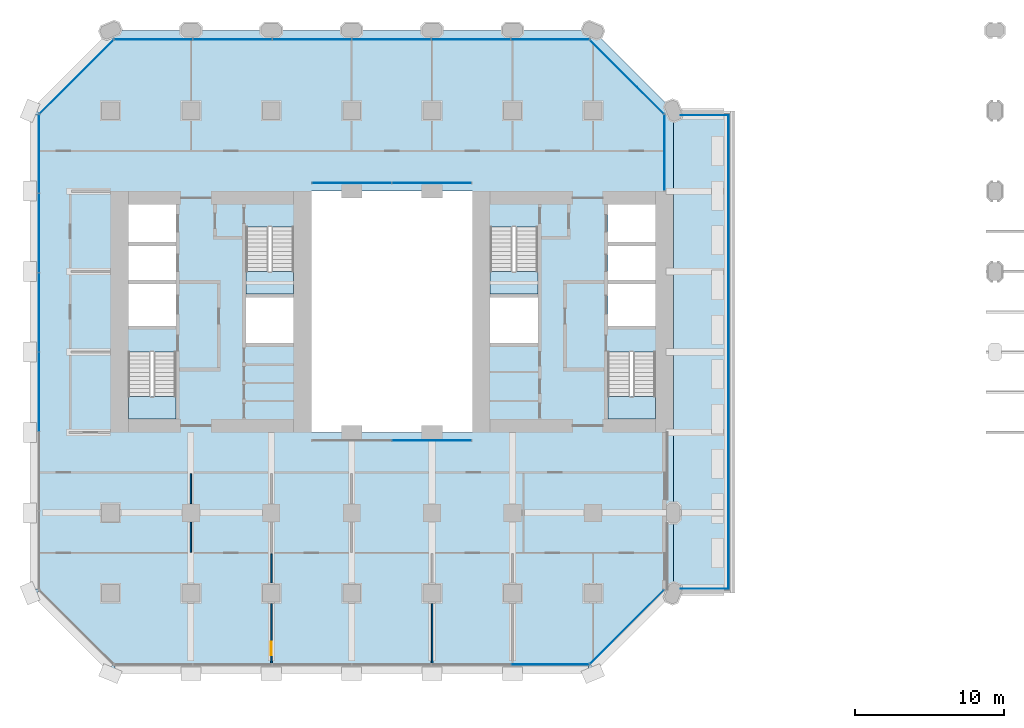
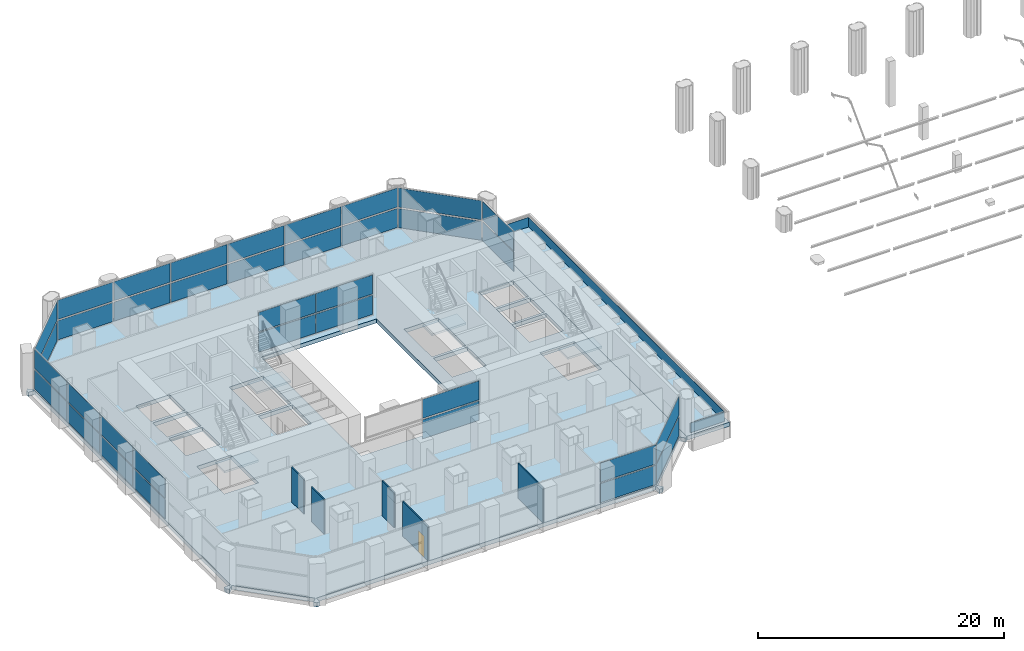
# One storey, part 11 of 23: 39 plates, 6 slabs, 5 walls, 1 door, 1 opening, 13 elements without a shape of their own.
"""IFC4 building model written with IfcOpenShell, lengths in metres."""

from ifc_helpers import new_model, si_unit, direction, frame, frame_2d, origin, origin_2d, place, context, subcontext, project, spatial, polyline, rectangle, outline, extrude, material, layer, layer_set, type_object, element, fill, aggregate, save


model = new_model("IFC4")

# Units and contexts
model_context = context("Model", 3, precision=1e-05, world=origin(), true_north=direction((0.0, 1.0)))
body_context = subcontext(model_context, "Body", "Model", "MODEL_VIEW")
ifc_project = project(units=[si_unit("LENGTHUNIT", "METRE"), si_unit("AREAUNIT", "SQUARE_METRE"), si_unit("VOLUMEUNIT", "CUBIC_METRE"), si_unit("PLANEANGLEUNIT", "RADIAN"), si_unit("MASSUNIT", "GRAM", prefix="KILO")], contexts=[model_context])

# Site, building, storey
site_placement = place(None, origin())
site = spatial("IfcSite", under=ifc_project, at=site_placement, CompositionType="ELEMENT")
building_placement = place(site_placement, origin())
building = spatial("IfcBuilding", under=site, at=building_placement, Name="Tabaq Tower and Sports Hall", CompositionType="ELEMENT")
storey_placement = place(building_placement, frame((0.0, 0.0, 29.10009765625)))
storey = spatial("IfcBuildingStorey", under=building, at=storey_placement, Name="L05", CompositionType="ELEMENT", Elevation=29.10009765625)

# Curtain wall, plates
ifc_material_1 = material(Name="Aluminium alloy 6063-T6 framed glazing", Category="aluminium")
curtain_wall_type_1 = type_object("IfcCurtainWallType", Name="CW1 curtain wall", PredefinedType="USERDEFINED", material=ifc_material_1)
curtain_wall_1_placement = place(storey_placement, origin())
curtain_wall_1 = element("IfcCurtainWall", 1, at=curtain_wall_1_placement, inside=storey, type_object=curtain_wall_type_1, Name="Atrium glazing L05 S", ObjectType="ATRIUM ENCLOSURE", PredefinedType="USERDEFINED")
ifc_material_2 = material(Name="Clear low-emissivity glass 28 mm", Category="glass")
ifc_layer_1 = layer(ifc_material_2, 0.028076171875)
ifc_layer_set_1 = layer_set([ifc_layer_1], Name="CW1 glass panel 28")
plate_type_1 = type_object("IfcPlateType", Name="CW1 glass panel 28", PredefinedType="CURTAIN_PANEL", material=ifc_layer_set_1)
plate_1_placement = place(storey_placement, frame((26.985107421875, 15.64990234375, 0.14013671875), z_axis=(0.0, 0.0, 1.0), x_axis=(1.0, 0.0, 0.0)))
plate_1 = element("IfcPlate", 2, at=plate_1_placement, type_object=plate_type_1, Name="CW1 panel 2.1", PredefinedType="CURTAIN_PANEL", context=body_context, shape_type="SweptSolid", body=[
    extrude(rectangle(XDim=5.31005859375, YDim=0.028076171875, at=origin_2d()), origin(), (0.0, 0.0, 1.0), 1.889892578125),
])
plate_2_placement = place(storey_placement, frame((26.985107421875, 15.64990234375, 2.169921875), z_axis=(0.0, 0.0, 1.0), x_axis=(1.0, 0.0, 0.0)))
plate_2 = element("IfcPlate", 3, at=plate_2_placement, type_object=plate_type_1, Name="CW1 panel 2.2", PredefinedType="CURTAIN_PANEL", context=body_context, shape_type="SweptSolid", body=[
    extrude(rectangle(XDim=5.31005859375, YDim=0.028076171875, at=origin_2d()), origin(), (0.0, 0.0, 1.0), 1.889892578125),
])
aggregate(curtain_wall_1, [plate_1, plate_2])

curtain_wall_2_placement = place(storey_placement, origin())
curtain_wall_2 = element("IfcCurtainWall", 4, at=curtain_wall_2_placement, inside=storey, type_object=curtain_wall_type_1, Name="Atrium glazing L05 N", ObjectType="ATRIUM ENCLOSURE", PredefinedType="USERDEFINED")
plate_3_placement = place(storey_placement, frame((21.614990234375, 32.949951171875, 0.14013671875), z_axis=(0.0, 0.0, 1.0), x_axis=(1.0, 0.0, 0.0)))
plate_3 = element("IfcPlate", 5, at=plate_3_placement, type_object=plate_type_1, Name="CW1 panel 1.1", PredefinedType="CURTAIN_PANEL", context=body_context, shape_type="SweptSolid", body=[
    extrude(rectangle(XDim=5.31005859375, YDim=0.028076171875, at=origin_2d()), origin(), (0.0, 0.0, 1.0), 1.889892578125),
])
plate_4_placement = place(storey_placement, frame((21.614990234375, 32.949951171875, 2.169921875), z_axis=(0.0, 0.0, 1.0), x_axis=(1.0, 0.0, 0.0)))
plate_4 = element("IfcPlate", 6, at=plate_4_placement, type_object=plate_type_1, Name="CW1 panel 1.2", PredefinedType="CURTAIN_PANEL", context=body_context, shape_type="SweptSolid", body=[
    extrude(rectangle(XDim=5.31005859375, YDim=0.028076171875, at=origin_2d()), origin(), (0.0, 0.0, 1.0), 1.889892578125),
])
plate_5_placement = place(storey_placement, frame((26.985107421875, 32.949951171875, 0.14013671875), z_axis=(0.0, 0.0, 1.0), x_axis=(1.0, 0.0, 0.0)))
plate_5 = element("IfcPlate", 7, at=plate_5_placement, type_object=plate_type_1, Name="CW1 panel 2.1", PredefinedType="CURTAIN_PANEL", context=body_context, shape_type="SweptSolid", body=[
    extrude(rectangle(XDim=5.31005859375, YDim=0.028076171875, at=origin_2d()), origin(), (0.0, 0.0, 1.0), 1.889892578125),
])
plate_6_placement = place(storey_placement, frame((26.985107421875, 32.949951171875, 2.169921875), z_axis=(0.0, 0.0, 1.0), x_axis=(1.0, 0.0, 0.0)))
plate_6 = element("IfcPlate", 8, at=plate_6_placement, type_object=plate_type_1, Name="CW1 panel 2.2", PredefinedType="CURTAIN_PANEL", context=body_context, shape_type="SweptSolid", body=[
    extrude(rectangle(XDim=5.31005859375, YDim=0.028076171875, at=origin_2d()), origin(), (0.0, 0.0, 1.0), 1.889892578125),
])
aggregate(curtain_wall_2, [plate_3, plate_4, plate_5, plate_6])

ifc_material_3 = material(Name="Aluminium alloy 6063-T6 framed glazing", Category="aluminium")
curtain_wall_type_2 = type_object("IfcCurtainWallType", Name="CW7 curtain wall", PredefinedType="USERDEFINED", material=ifc_material_3)
curtain_wall_3_placement = place(storey_placement, origin())
curtain_wall_3 = element("IfcCurtainWall", 9, at=curtain_wall_3_placement, inside=storey, type_object=curtain_wall_type_2, Name="Podium Wall L05 S", ObjectType="PODIUM WALL", PredefinedType="USERDEFINED")
ifc_material_4 = material(Name="Clear low-emissivity glass 28 mm", Category="glass")
ifc_layer_2 = layer(ifc_material_4, 0.030029296875)
ifc_layer_set_2 = layer_set([ifc_layer_2], Name="CW7 glass panel 30")
plate_type_2 = type_object("IfcPlateType", Name="CW7 glass panel 30", PredefinedType="CURTAIN_PANEL", material=ifc_layer_set_2)
plate_7_placement = place(storey_placement, frame((34.928466796875, 0.60009765625, 0.14013671875), z_axis=(0.0, 0.0, 1.0), x_axis=(1.0, 0.0, 0.0)))
plate_7 = element("IfcPlate", 10, at=plate_7_placement, type_object=plate_type_2, Name="CW7 panel 6.1", PredefinedType="CURTAIN_PANEL", context=body_context, shape_type="SweptSolid", body=[
    extrude(rectangle(XDim=5.240478515625, YDim=0.030029296875, at=origin_2d()), origin(), (0.0, 0.0, 1.0), 1.889892578125),
])
plate_8_placement = place(storey_placement, frame((34.928466796875, 0.60009765625, 2.169921875), z_axis=(0.0, 0.0, 1.0), x_axis=(1.0, 0.0, 0.0)))
plate_8 = element("IfcPlate", 11, at=plate_8_placement, type_object=plate_type_2, Name="CW7 panel 6.2", PredefinedType="CURTAIN_PANEL", context=body_context, shape_type="SweptSolid", body=[
    extrude(rectangle(XDim=5.240478515625, YDim=0.030029296875, at=origin_2d()), origin(), (0.0, 0.0, 1.0), 1.889892578125),
])
aggregate(curtain_wall_3, [plate_7, plate_8])

curtain_wall_4_placement = place(storey_placement, origin())
curtain_wall_4 = element("IfcCurtainWall", 12, at=curtain_wall_4_placement, inside=storey, type_object=curtain_wall_type_2, Name="Podium Wall L05 SE", ObjectType="PODIUM WALL", PredefinedType="USERDEFINED")
plate_9_placement = place(storey_placement, frame((40.07568359375, 3.124267578125, 0.14013671875), z_axis=(0.0, 0.0, 1.0), x_axis=(0.707106781187, 0.707106781187, 0.0)))
plate_9 = element("IfcPlate", 13, at=plate_9_placement, type_object=plate_type_2, Name="CW7 panel 1.1", PredefinedType="CURTAIN_PANEL", context=body_context, shape_type="SweptSolid", body=[
    extrude(rectangle(XDim=7.009765625, YDim=0.030029296875, at=origin_2d()), origin(), (0.0, 0.0, 1.0), 1.889892578125),
])
plate_10_placement = place(storey_placement, frame((40.07568359375, 3.124267578125, 2.169921875), z_axis=(0.0, 0.0, 1.0), x_axis=(0.707106781187, 0.707106781187, 0.0)))
plate_10 = element("IfcPlate", 14, at=plate_10_placement, type_object=plate_type_2, Name="CW7 panel 1.2", PredefinedType="CURTAIN_PANEL", context=body_context, shape_type="SweptSolid", body=[
    extrude(rectangle(XDim=7.009765625, YDim=0.030029296875, at=origin_2d()), origin(), (0.0, 0.0, 1.0), 1.889892578125),
])
aggregate(curtain_wall_4, [plate_9, plate_10])

curtain_wall_5_placement = place(storey_placement, origin())
curtain_wall_5 = element("IfcCurtainWall", 15, at=curtain_wall_5_placement, inside=storey, type_object=curtain_wall_type_2, Name="Podium Wall L05 E", ObjectType="PODIUM WALL", PredefinedType="USERDEFINED")
plate_11_placement = place(storey_placement, frame((42.60009765625, 35.0068359375, 0.14013671875), z_axis=(0.0, 0.0, 1.0), x_axis=(0.0, 1.0, 0.0)))
plate_11 = element("IfcPlate", 16, at=plate_11_placement, type_object=plate_type_2, Name="CW7 panel 1.1", PredefinedType="CURTAIN_PANEL", context=body_context, shape_type="SweptSolid", body=[
    extrude(rectangle(XDim=5.08349609375, YDim=0.030029296875, at=origin_2d()), origin(), (0.0, 0.0, 1.0), 1.889892578125),
])
plate_12_placement = place(storey_placement, frame((42.60009765625, 35.0068359375, 2.169921875), z_axis=(0.0, 0.0, 1.0), x_axis=(0.0, 1.0, 0.0)))
plate_12 = element("IfcPlate", 17, at=plate_12_placement, type_object=plate_type_2, Name="CW7 panel 1.2", PredefinedType="CURTAIN_PANEL", context=body_context, shape_type="SweptSolid", body=[
    extrude(rectangle(XDim=5.08349609375, YDim=0.030029296875, at=origin_2d()), origin(), (0.0, 0.0, 1.0), 1.889892578125),
])
aggregate(curtain_wall_5, [plate_11, plate_12])

curtain_wall_6_placement = place(storey_placement, origin())
curtain_wall_6 = element("IfcCurtainWall", 18, at=curtain_wall_6_placement, inside=storey, type_object=curtain_wall_type_2, Name="Podium Wall L05 NE", ObjectType="PODIUM WALL", PredefinedType="USERDEFINED")
plate_13_placement = place(storey_placement, frame((40.07568359375, 40.07568359375, 0.14013671875), z_axis=(0.0, 0.0, 1.0), x_axis=(-0.707106781187, 0.707106781187, 0.0)))
plate_13 = element("IfcPlate", 19, at=plate_13_placement, type_object=plate_type_2, Name="CW7 panel 1.1", PredefinedType="CURTAIN_PANEL", context=body_context, shape_type="SweptSolid", body=[
    extrude(rectangle(XDim=7.009765625, YDim=0.030029296875, at=origin_2d()), origin(), (0.0, 0.0, 1.0), 1.889892578125),
])
plate_14_placement = place(storey_placement, frame((40.07568359375, 40.07568359375, 2.169921875), z_axis=(0.0, 0.0, 1.0), x_axis=(-0.707106781187, 0.707106781187, 0.0)))
plate_14 = element("IfcPlate", 20, at=plate_14_placement, type_object=plate_type_2, Name="CW7 panel 1.2", PredefinedType="CURTAIN_PANEL", context=body_context, shape_type="SweptSolid", body=[
    extrude(rectangle(XDim=7.009765625, YDim=0.030029296875, at=origin_2d()), origin(), (0.0, 0.0, 1.0), 1.889892578125),
])
aggregate(curtain_wall_6, [plate_13, plate_14])

curtain_wall_7_placement = place(storey_placement, origin())
curtain_wall_7 = element("IfcCurtainWall", 21, at=curtain_wall_7_placement, inside=storey, type_object=curtain_wall_type_2, Name="Podium Wall L05 N", ObjectType="PODIUM WALL", PredefinedType="USERDEFINED")
plate_15_placement = place(storey_placement, frame((34.928466796875, 42.60009765625, 0.14013671875), z_axis=(0.0, 0.0, 1.0), x_axis=(-1.0, 0.0, 0.0)))
plate_15 = element("IfcPlate", 22, at=plate_15_placement, type_object=plate_type_2, Name="CW7 panel 1.1", PredefinedType="CURTAIN_PANEL", context=body_context, shape_type="SweptSolid", body=[
    extrude(rectangle(XDim=5.240478515625, YDim=0.030029296875, at=origin_2d()), origin(), (0.0, 0.0, 1.0), 1.889892578125),
])
plate_16_placement = place(storey_placement, frame((34.928466796875, 42.60009765625, 2.169921875), z_axis=(0.0, 0.0, 1.0), x_axis=(-1.0, 0.0, 0.0)))
plate_16 = element("IfcPlate", 23, at=plate_16_placement, type_object=plate_type_2, Name="CW7 panel 1.2", PredefinedType="CURTAIN_PANEL", context=body_context, shape_type="SweptSolid", body=[
    extrude(rectangle(XDim=5.240478515625, YDim=0.030029296875, at=origin_2d()), origin(), (0.0, 0.0, 1.0), 1.889892578125),
])
plate_17_placement = place(storey_placement, frame((29.606689453125, 42.60009765625, 0.14013671875), z_axis=(0.0, 0.0, 1.0), x_axis=(-1.0, 0.0, 0.0)))
plate_17 = element("IfcPlate", 24, at=plate_17_placement, type_object=plate_type_2, Name="CW7 panel 2.1", PredefinedType="CURTAIN_PANEL", context=body_context, shape_type="SweptSolid", body=[
    extrude(rectangle(XDim=5.27294921875, YDim=0.030029296875, at=origin_2d()), origin(), (0.0, 0.0, 1.0), 1.889892578125),
])
plate_18_placement = place(storey_placement, frame((29.606689453125, 42.60009765625, 2.169921875), z_axis=(0.0, 0.0, 1.0), x_axis=(-1.0, 0.0, 0.0)))
plate_18 = element("IfcPlate", 25, at=plate_18_placement, type_object=plate_type_2, Name="CW7 panel 2.2", PredefinedType="CURTAIN_PANEL", context=body_context, shape_type="SweptSolid", body=[
    extrude(rectangle(XDim=5.27294921875, YDim=0.030029296875, at=origin_2d()), origin(), (0.0, 0.0, 1.0), 1.889892578125),
])
plate_19_placement = place(storey_placement, frame((24.26904296875, 42.60009765625, 0.14013671875), z_axis=(0.0, 0.0, 1.0), x_axis=(-1.0, 0.0, 0.0)))
plate_19 = element("IfcPlate", 26, at=plate_19_placement, type_object=plate_type_2, Name="CW7 panel 3.1", PredefinedType="CURTAIN_PANEL", context=body_context, shape_type="SweptSolid", body=[
    extrude(rectangle(XDim=5.27294921875, YDim=0.030029296875, at=origin_2d()), origin(), (0.0, 0.0, 1.0), 1.889892578125),
])
plate_20_placement = place(storey_placement, frame((24.26904296875, 42.60009765625, 2.169921875), z_axis=(0.0, 0.0, 1.0), x_axis=(-1.0, 0.0, 0.0)))
plate_20 = element("IfcPlate", 27, at=plate_20_placement, type_object=plate_type_2, Name="CW7 panel 3.2", PredefinedType="CURTAIN_PANEL", context=body_context, shape_type="SweptSolid", body=[
    extrude(rectangle(XDim=5.27294921875, YDim=0.030029296875, at=origin_2d()), origin(), (0.0, 0.0, 1.0), 1.889892578125),
])
plate_21_placement = place(storey_placement, frame((18.93115234375, 42.60009765625, 0.14013671875), z_axis=(0.0, 0.0, 1.0), x_axis=(-1.0, 0.0, 0.0)))
plate_21 = element("IfcPlate", 28, at=plate_21_placement, type_object=plate_type_2, Name="CW7 panel 4.1", PredefinedType="CURTAIN_PANEL", context=body_context, shape_type="SweptSolid", body=[
    extrude(rectangle(XDim=5.27294921875, YDim=0.030029296875, at=origin_2d()), origin(), (0.0, 0.0, 1.0), 1.889892578125),
])
plate_22_placement = place(storey_placement, frame((18.93115234375, 42.60009765625, 2.169921875), z_axis=(0.0, 0.0, 1.0), x_axis=(-1.0, 0.0, 0.0)))
plate_22 = element("IfcPlate", 29, at=plate_22_placement, type_object=plate_type_2, Name="CW7 panel 4.2", PredefinedType="CURTAIN_PANEL", context=body_context, shape_type="SweptSolid", body=[
    extrude(rectangle(XDim=5.27294921875, YDim=0.030029296875, at=origin_2d()), origin(), (0.0, 0.0, 1.0), 1.889892578125),
])
plate_23_placement = place(storey_placement, frame((13.59326171875, 42.60009765625, 0.14013671875), z_axis=(0.0, 0.0, 1.0), x_axis=(-1.0, 0.0, 0.0)))
plate_23 = element("IfcPlate", 30, at=plate_23_placement, type_object=plate_type_2, Name="CW7 panel 5.1", PredefinedType="CURTAIN_PANEL", context=body_context, shape_type="SweptSolid", body=[
    extrude(rectangle(XDim=5.27294921875, YDim=0.030029296875, at=origin_2d()), origin(), (0.0, 0.0, 1.0), 1.889892578125),
])
plate_24_placement = place(storey_placement, frame((13.59326171875, 42.60009765625, 2.169921875), z_axis=(0.0, 0.0, 1.0), x_axis=(-1.0, 0.0, 0.0)))
plate_24 = element("IfcPlate", 31, at=plate_24_placement, type_object=plate_type_2, Name="CW7 panel 5.2", PredefinedType="CURTAIN_PANEL", context=body_context, shape_type="SweptSolid", body=[
    extrude(rectangle(XDim=5.27294921875, YDim=0.030029296875, at=origin_2d()), origin(), (0.0, 0.0, 1.0), 1.889892578125),
])
plate_25_placement = place(storey_placement, frame((8.271484375, 42.60009765625, 0.14013671875), z_axis=(0.0, 0.0, 1.0), x_axis=(-1.0, 0.0, 0.0)))
plate_25 = element("IfcPlate", 32, at=plate_25_placement, type_object=plate_type_2, Name="CW7 panel 6.1", PredefinedType="CURTAIN_PANEL", context=body_context, shape_type="SweptSolid", body=[
    extrude(rectangle(XDim=5.240478515625, YDim=0.030029296875, at=origin_2d()), origin(), (0.0, 0.0, 1.0), 1.889892578125),
])
plate_26_placement = place(storey_placement, frame((8.271484375, 42.60009765625, 2.169921875), z_axis=(0.0, 0.0, 1.0), x_axis=(-1.0, 0.0, 0.0)))
plate_26 = element("IfcPlate", 33, at=plate_26_placement, type_object=plate_type_2, Name="CW7 panel 6.2", PredefinedType="CURTAIN_PANEL", context=body_context, shape_type="SweptSolid", body=[
    extrude(rectangle(XDim=5.240478515625, YDim=0.030029296875, at=origin_2d()), origin(), (0.0, 0.0, 1.0), 1.889892578125),
])
aggregate(curtain_wall_7, [plate_15, plate_16, plate_17, plate_18, plate_19, plate_20, plate_21, plate_22, plate_23, plate_24, plate_25, plate_26])

curtain_wall_8_placement = place(storey_placement, origin())
curtain_wall_8 = element("IfcCurtainWall", 34, at=curtain_wall_8_placement, inside=storey, type_object=curtain_wall_type_2, Name="Podium Wall L05 NW", ObjectType="PODIUM WALL", PredefinedType="USERDEFINED")
plate_27_placement = place(storey_placement, frame((3.124267578125, 40.07568359375, 0.14013671875), z_axis=(0.0, 0.0, 1.0), x_axis=(-0.707106781187, -0.707106781187, 0.0)))
plate_27 = element("IfcPlate", 35, at=plate_27_placement, type_object=plate_type_2, Name="CW7 panel 1.1", PredefinedType="CURTAIN_PANEL", context=body_context, shape_type="SweptSolid", body=[
    extrude(rectangle(XDim=7.009765625, YDim=0.030029296875, at=origin_2d()), origin(), (0.0, 0.0, 1.0), 1.889892578125),
])
plate_28_placement = place(storey_placement, frame((3.124267578125, 40.07568359375, 2.169921875), z_axis=(0.0, 0.0, 1.0), x_axis=(-0.707106781187, -0.707106781187, 0.0)))
plate_28 = element("IfcPlate", 36, at=plate_28_placement, type_object=plate_type_2, Name="CW7 panel 1.2", PredefinedType="CURTAIN_PANEL", context=body_context, shape_type="SweptSolid", body=[
    extrude(rectangle(XDim=7.009765625, YDim=0.030029296875, at=origin_2d()), origin(), (0.0, 0.0, 1.0), 1.889892578125),
])
aggregate(curtain_wall_8, [plate_27, plate_28])

curtain_wall_9_placement = place(storey_placement, origin())
curtain_wall_9 = element("IfcCurtainWall", 37, at=curtain_wall_9_placement, inside=storey, type_object=curtain_wall_type_2, Name="Podium Wall L05 W", ObjectType="PODIUM WALL", PredefinedType="USERDEFINED")
plate_29_placement = place(storey_placement, frame((0.60009765625, 34.928466796875, 0.14013671875), z_axis=(0.0, 0.0, 1.0), x_axis=(0.0, -1.0, 0.0)))
plate_29 = element("IfcPlate", 38, at=plate_29_placement, type_object=plate_type_2, Name="CW7 panel 1.1", PredefinedType="CURTAIN_PANEL", context=body_context, shape_type="SweptSolid", body=[
    extrude(rectangle(XDim=5.240478515625, YDim=0.030029296875, at=origin_2d()), origin(), (0.0, 0.0, 1.0), 1.889892578125),
])
plate_30_placement = place(storey_placement, frame((0.60009765625, 34.928466796875, 2.169921875), z_axis=(0.0, 0.0, 1.0), x_axis=(0.0, -1.0, 0.0)))
plate_30 = element("IfcPlate", 39, at=plate_30_placement, type_object=plate_type_2, Name="CW7 panel 1.2", PredefinedType="CURTAIN_PANEL", context=body_context, shape_type="SweptSolid", body=[
    extrude(rectangle(XDim=5.240478515625, YDim=0.030029296875, at=origin_2d()), origin(), (0.0, 0.0, 1.0), 1.889892578125),
])
plate_31_placement = place(storey_placement, frame((0.60009765625, 29.606689453125, 0.14013671875), z_axis=(0.0, 0.0, 1.0), x_axis=(0.0, -1.0, 0.0)))
plate_31 = element("IfcPlate", 40, at=plate_31_placement, type_object=plate_type_2, Name="CW7 panel 2.1", PredefinedType="CURTAIN_PANEL", context=body_context, shape_type="SweptSolid", body=[
    extrude(rectangle(XDim=5.27294921875, YDim=0.030029296875, at=origin_2d()), origin(), (0.0, 0.0, 1.0), 1.889892578125),
])
plate_32_placement = place(storey_placement, frame((0.60009765625, 29.606689453125, 2.169921875), z_axis=(0.0, 0.0, 1.0), x_axis=(0.0, -1.0, 0.0)))
plate_32 = element("IfcPlate", 41, at=plate_32_placement, type_object=plate_type_2, Name="CW7 panel 2.2", PredefinedType="CURTAIN_PANEL", context=body_context, shape_type="SweptSolid", body=[
    extrude(rectangle(XDim=5.27294921875, YDim=0.030029296875, at=origin_2d()), origin(), (0.0, 0.0, 1.0), 1.889892578125),
])
plate_33_placement = place(storey_placement, frame((0.60009765625, 24.26904296875, 0.14013671875), z_axis=(0.0, 0.0, 1.0), x_axis=(0.0, -1.0, 0.0)))
plate_33 = element("IfcPlate", 42, at=plate_33_placement, type_object=plate_type_2, Name="CW7 panel 3.1", PredefinedType="CURTAIN_PANEL", context=body_context, shape_type="SweptSolid", body=[
    extrude(rectangle(XDim=5.27294921875, YDim=0.030029296875, at=origin_2d()), origin(), (0.0, 0.0, 1.0), 1.889892578125),
])
plate_34_placement = place(storey_placement, frame((0.60009765625, 24.26904296875, 2.169921875), z_axis=(0.0, 0.0, 1.0), x_axis=(0.0, -1.0, 0.0)))
plate_34 = element("IfcPlate", 43, at=plate_34_placement, type_object=plate_type_2, Name="CW7 panel 3.2", PredefinedType="CURTAIN_PANEL", context=body_context, shape_type="SweptSolid", body=[
    extrude(rectangle(XDim=5.27294921875, YDim=0.030029296875, at=origin_2d()), origin(), (0.0, 0.0, 1.0), 1.889892578125),
])
plate_35_placement = place(storey_placement, frame((0.60009765625, 18.93115234375, 0.14013671875), z_axis=(0.0, 0.0, 1.0), x_axis=(0.0, -1.0, 0.0)))
plate_35 = element("IfcPlate", 44, at=plate_35_placement, type_object=plate_type_2, Name="CW7 panel 4.1", PredefinedType="CURTAIN_PANEL", context=body_context, shape_type="SweptSolid", body=[
    extrude(rectangle(XDim=5.27294921875, YDim=0.030029296875, at=origin_2d()), origin(), (0.0, 0.0, 1.0), 1.889892578125),
])
plate_36_placement = place(storey_placement, frame((0.60009765625, 18.93115234375, 2.169921875), z_axis=(0.0, 0.0, 1.0), x_axis=(0.0, -1.0, 0.0)))
plate_36 = element("IfcPlate", 45, at=plate_36_placement, type_object=plate_type_2, Name="CW7 panel 4.2", PredefinedType="CURTAIN_PANEL", context=body_context, shape_type="SweptSolid", body=[
    extrude(rectangle(XDim=5.27294921875, YDim=0.030029296875, at=origin_2d()), origin(), (0.0, 0.0, 1.0), 1.889892578125),
])
aggregate(curtain_wall_9, [plate_29, plate_30, plate_31, plate_32, plate_33, plate_34, plate_35, plate_36])

# Slab
ifc_material_5 = material(Name="Concrete C40/50", Category="concrete")
ifc_layer_3 = layer(ifc_material_5, 0.39990234375)
ifc_layer_set_3 = layer_set([ifc_layer_3], Name="Concrete C40/50 PT tray slab")
slab_type_1 = type_object("IfcSlabType", Name="Concrete C40/50 PT tray slab", PredefinedType="FLOOR", material=ifc_layer_set_3)
slab_1_placement = place(storey_placement, frame((0.0, 0.0, -0.400146484375)))
element("IfcSlab", 46, at=slab_1_placement, inside=storey, type_object=slab_type_1, Name="Tray slab L05", PredefinedType="FLOOR", context=body_context, shape_type="SweptSolid", body=[
    extrude(outline(polyline([(43.199951171875, 5.39990234375), (43.199951171875, 37.800048828125), (47.199951171875, 37.800048828125), (47.199951171875, 5.39990234375), (43.199951171875, 5.39990234375)])), origin(), (0.0, 0.0, 1.0), 0.400146484375),
])

# Stair, slab
ifc_material_6 = material(Name="Concrete C40/50", Category="concrete")
stair_type = type_object("IfcStairType", Name="Exit stair", PredefinedType="HALF_TURN_STAIR", material=ifc_material_6)
stair_1_placement = place(storey_placement, origin())
stair_1 = element("IfcStair", 47, at=stair_1_placement, inside=storey, type_object=stair_type, Name="L05 Exit stair ST1", PredefinedType="HALF_TURN_STAIR")
ifc_material_7 = material(Name="Concrete C40/50", Category="concrete")
ifc_layer_4 = layer(ifc_material_7, 0.199951171875)
ifc_layer_set_4 = layer_set([ifc_layer_4], Name="Exit stair landing")
slab_type_2 = type_object("IfcSlabType", Name="Exit stair landing", PredefinedType="LANDING", material=ifc_layer_set_4)
slab_2_placement = place(storey_placement, frame((0.0, 0.0, 2.0498046875)))
slab_2 = element("IfcSlab", 48, at=slab_2_placement, type_object=slab_type_2, Name="ST1 landing 1", PredefinedType="LANDING", context=body_context, shape_type="SweptSolid", body=[
    extrude(outline(polyline([(6.60009765625, 18.60009765625), (6.60009765625, 17.10009765625), (9.800048828125, 17.10009765625), (9.800048828125, 18.60009765625), (6.60009765625, 18.60009765625)])), origin(), (0.0, 0.0, 1.0), 0.2001953125),
])
aggregate(stair_1, [slab_2])

stair_2_placement = place(storey_placement, origin())
stair_2 = element("IfcStair", 49, at=stair_2_placement, inside=storey, type_object=stair_type, Name="L05 Exit stair ST2", PredefinedType="HALF_TURN_STAIR")
slab_3_placement = place(storey_placement, frame((0.0, 0.0, 2.0498046875)))
slab_3 = element("IfcSlab", 50, at=slab_3_placement, type_object=slab_type_2, Name="ST2 landing 1", PredefinedType="LANDING", context=body_context, shape_type="SweptSolid", body=[
    extrude(outline(polyline([(14.5, 27.0), (14.5, 25.5), (17.699951171875, 25.5), (17.699951171875, 27.0), (14.5, 27.0)])), origin(), (0.0, 0.0, 1.0), 0.2001953125),
])
aggregate(stair_2, [slab_3])

stair_3_placement = place(storey_placement, origin())
stair_3 = element("IfcStair", 51, at=stair_3_placement, inside=storey, type_object=stair_type, Name="L05 Exit stair ST3", PredefinedType="HALF_TURN_STAIR")
slab_4_placement = place(storey_placement, frame((0.0, 0.0, 2.0498046875)))
slab_4 = element("IfcSlab", 52, at=slab_4_placement, type_object=slab_type_2, Name="ST3 landing 1", PredefinedType="LANDING", context=body_context, shape_type="SweptSolid", body=[
    extrude(outline(polyline([(38.800048828125, 18.60009765625), (38.800048828125, 17.10009765625), (42.0, 17.10009765625), (42.0, 18.60009765625), (38.800048828125, 18.60009765625)])), origin(), (0.0, 0.0, 1.0), 0.2001953125),
])
aggregate(stair_3, [slab_4])

stair_4_placement = place(storey_placement, origin())
stair_4 = element("IfcStair", 53, at=stair_4_placement, inside=storey, type_object=stair_type, Name="L05 Exit stair ST4", PredefinedType="HALF_TURN_STAIR")
slab_5_placement = place(storey_placement, frame((0.0, 0.0, 2.0498046875)))
slab_5 = element("IfcSlab", 54, at=slab_5_placement, type_object=slab_type_2, Name="ST4 landing 1", PredefinedType="LANDING", context=body_context, shape_type="SweptSolid", body=[
    extrude(outline(polyline([(30.89990234375, 27.0), (30.89990234375, 25.5), (34.10009765625, 25.5), (34.10009765625, 27.0), (30.89990234375, 27.0)])), origin(), (0.0, 0.0, 1.0), 0.2001953125),
])
aggregate(stair_4, [slab_5])

# Plates
ifc_material_8 = material(Name="Clear low-emissivity glass 28 mm", Category="glass")
ifc_layer_5 = layer(ifc_material_8, 0.02001953125)
ifc_layer_set_5 = layer_set([ifc_layer_5], Name="Laminated glass tray guard panel 20")
plate_type_3 = type_object("IfcPlateType", Name="Laminated glass tray guard panel 20", PredefinedType="USERDEFINED", material=ifc_layer_set_5)
plate_37_placement = place(storey_placement, frame((43.699951171875, 5.699951171875, 0.0), z_axis=(0.0, 0.0, 1.0), x_axis=(1.0, 0.0, 0.0)))
element("IfcPlate", 55, at=plate_37_placement, inside=storey, type_object=plate_type_3, Name="Tray guard glass L05", ObjectType="GUARD GLASS", PredefinedType="USERDEFINED", context=body_context, shape_type="SweptSolid", body=[
    extrude(rectangle(XDim=3.199951171875, YDim=0.02001953125, at=frame_2d((1.60009765625, 0.0))), origin(), (0.0, 0.0, 1.0), 0.949951171875),
])
plate_38_placement = place(storey_placement, frame((46.89990234375, 5.699951171875, 0.0), z_axis=(0.0, 0.0, 1.0), x_axis=(0.0, 1.0, 0.0)))
element("IfcPlate", 56, at=plate_38_placement, inside=storey, type_object=plate_type_3, Name="Tray guard glass L05", ObjectType="GUARD GLASS", PredefinedType="USERDEFINED", context=body_context, shape_type="SweptSolid", body=[
    extrude(rectangle(XDim=31.800048828125, YDim=0.02001953125, at=frame_2d((15.89990234375, 0.0))), origin(), (0.0, 0.0, 1.0), 0.949951171875),
])
plate_39_placement = place(storey_placement, frame((46.89990234375, 37.5, 0.0), z_axis=(0.0, 0.0, 1.0), x_axis=(-1.0, 0.0, 0.0)))
element("IfcPlate", 57, at=plate_39_placement, inside=storey, type_object=plate_type_3, Name="Tray guard glass L05", ObjectType="GUARD GLASS", PredefinedType="USERDEFINED", context=body_context, shape_type="SweptSolid", body=[
    extrude(rectangle(XDim=3.199951171875, YDim=0.02001953125, at=frame_2d((1.60009765625, 0.0))), origin(), (0.0, 0.0, 1.0), 0.949951171875),
])

# Slab
ifc_material_9 = material(Name="Concrete C40/50", Category="concrete")
ifc_layer_6 = layer(ifc_material_9, 0.39990234375)
ifc_layer_set_6 = layer_set([ifc_layer_6], Name="PT FLOOR SLAB 400 C40/50")
slab_type_3 = type_object("IfcSlabType", Name="PT FLOOR SLAB 400 C40/50", PredefinedType="FLOOR", material=ifc_layer_set_6)
slab_6_placement = place(storey_placement, frame((0.0, 0.0, -0.400146484375)))
element("IfcSlab", 58, at=slab_6_placement, inside=storey, type_object=slab_type_3, Name="Floor Slab L05", PredefinedType="FLOOR", context=body_context, shape_type="SweptSolid", body=[
    extrude(outline(polyline([(0.0, 5.698486328125), (0.0, 5.39990234375), (0.211181640625, 5.18896484375), (0.63525390625, 5.61328125), (5.61328125, 0.63525390625), (5.18896484375, 0.211181640625), (5.39990234375, 0.0), (5.698486328125, 0.0), (5.698486328125, 0.5), (5.698486328125, 0.60009765625), (37.50146484375, 0.60009765625), (37.50146484375, 0.5), (37.50146484375, 0.0), (37.800048828125, 0.0), (38.010986328125, 0.211181640625), (37.5869140625, 0.63525390625), (42.598876953125, 5.6474609375), (42.669677734375, 5.57666015625), (43.023193359375, 5.22314453125), (43.199951171875, 5.39990234375), (43.199951171875, 37.800048828125), (37.800048828125, 43.199951171875), (5.39990234375, 43.199951171875), (5.22314453125, 43.023193359375), (5.57666015625, 42.669677734375), (5.6474609375, 42.598876953125), (0.63525390625, 37.5869140625), (0.211181640625, 38.010986328125), (0.0, 37.800048828125), (0.0, 37.50146484375), (0.5, 37.50146484375), (0.60009765625, 37.50146484375), (0.60009765625, 5.698486328125), (0.5, 5.698486328125), (0.0, 5.698486328125)]), holes=[polyline([(6.60009765625, 21.599365234375), (9.800048828125, 21.599365234375), (9.800048828125, 17.10009765625), (6.60009765625, 17.10009765625), (6.60009765625, 21.599365234375)]), polyline([(17.699951171875, 25.25), (17.699951171875, 22.199951171875), (14.5, 22.199951171875), (14.5, 25.25), (17.699951171875, 25.25)]), polyline([(18.89990234375, 32.39990234375), (29.699951171875, 32.39990234375), (29.699951171875, 16.199951171875), (18.89990234375, 16.199951171875), (18.89990234375, 32.39990234375)]), polyline([(6.60009765625, 26.175048828125), (9.800048828125, 26.175048828125), (9.800048828125, 23.35009765625), (6.60009765625, 23.35009765625), (6.60009765625, 26.175048828125)]), polyline([(9.800048828125, 28.72509765625), (9.800048828125, 26.425048828125), (6.60009765625, 26.425048828125), (6.60009765625, 28.72509765625), (9.800048828125, 28.72509765625)]), polyline([(17.699951171875, 29.99951171875), (17.699951171875, 25.5), (14.5, 25.5), (14.5, 29.99951171875), (17.699951171875, 29.99951171875)]), polyline([(6.60009765625, 31.5), (9.800048828125, 31.5), (9.800048828125, 28.97509765625), (6.60009765625, 28.97509765625), (6.60009765625, 31.5)]), polyline([(42.0, 21.599365234375), (42.0, 17.10009765625), (38.800048828125, 17.10009765625), (38.800048828125, 21.599365234375), (42.0, 21.599365234375)]), polyline([(34.10009765625, 25.25), (34.10009765625, 22.199951171875), (30.89990234375, 22.199951171875), (30.89990234375, 25.25), (34.10009765625, 25.25)]), polyline([(42.0, 26.175048828125), (42.0, 23.35009765625), (38.800048828125, 23.35009765625), (38.800048828125, 26.175048828125), (42.0, 26.175048828125)]), polyline([(42.0, 28.72509765625), (42.0, 26.425048828125), (38.800048828125, 26.425048828125), (38.800048828125, 28.72509765625), (42.0, 28.72509765625)]), polyline([(34.10009765625, 29.99951171875), (34.10009765625, 25.5), (30.89990234375, 25.5), (30.89990234375, 29.99951171875), (34.10009765625, 29.99951171875)]), polyline([(42.0, 31.5), (42.0, 28.97509765625), (38.800048828125, 28.97509765625), (38.800048828125, 31.5), (42.0, 31.5)])]), origin(), (0.0, 0.0, 1.0), 0.400146484375),
])

# Walls
ifc_material_10 = material(Name="Gypsum board on steel studs", Category="steel")
ifc_layer_7 = layer(ifc_material_10, 0.10009765625)
ifc_layer_set_7 = layer_set([ifc_layer_7], Name="Partition 100 Gypsum board")
wall_type = type_object("IfcWallType", Name="Partition 100 Gypsum board", PredefinedType="PARTITIONING", material=ifc_layer_set_7)
wall_1_placement = place(storey_placement, frame((10.800048828125, 8.14990234375, 0.0), z_axis=(0.0, 0.0, 1.0), x_axis=(0.0, 1.0, 0.0)))
element("IfcWall", 59, at=wall_1_placement, inside=storey, type_object=wall_type, Name="Partition wall L05", PredefinedType="PARTITIONING", context=body_context, shape_type="SweptSolid", body=[
    extrude(rectangle(XDim=2.030029296875, YDim=0.10009765625, at=frame_2d((1.01513671875, 0.0))), origin(), (0.0, 0.0, 1.0), 3.449951171875),
])
wall_2_placement = place(storey_placement, frame((10.800048828125, 11.419921875, 0.0), z_axis=(0.0, 0.0, 1.0), x_axis=(0.0, 1.0, 0.0)))
element("IfcWall", 60, at=wall_2_placement, inside=storey, type_object=wall_type, Name="Partition wall L05", PredefinedType="PARTITIONING", context=body_context, shape_type="SweptSolid", body=[
    extrude(rectangle(XDim=2.005126953125, YDim=0.10009765625, at=frame_2d((1.00244140625, 0.0))), origin(), (0.0, 0.0, 1.0), 3.449951171875),
])

# Wall, opening, door
wall_3_placement = place(storey_placement, frame((16.199951171875, 0.60009765625, 0.0), z_axis=(0.0, 0.0, 1.0), x_axis=(0.0, 1.0, 0.0)))
wall_3 = element("IfcWall", 61, at=wall_3_placement, inside=storey, type_object=wall_type, Name="Partition wall L05", PredefinedType="PARTITIONING", context=body_context, shape_type="SweptSolid", body=[
    extrude(rectangle(XDim=4.09912109375, YDim=0.10009765625, at=frame_2d((2.049560546875, 0.0))), origin(), (0.0, 0.0, 1.0), 3.449951171875),
])
opening_placement = place(wall_3_placement, frame((0.637451171875, 0.0, 0.0)))
opening = element("IfcOpeningElement", 62, at=opening_placement, cuts=wall_3, Name="Opening L05-018", PredefinedType="OPENING", context=body_context, shape_type="SweptSolid", body=[
    extrude(rectangle(XDim=0.89990234375, YDim=2.10009765625, at=frame_2d((0.449951171875, 1.050048828125))), frame((0.0, 0.050048828125, 0.0), z_axis=(0.0, -1.0, 0.0), x_axis=(1.0, 0.0, 0.0)), (0.0, 0.0, 1.0), 0.10009765625),
])
ifc_material_11 = material(Name="Timber leaf in steel frame", Category="steel")
door_type = type_object("IfcDoorType", Name="Internal door 900 left hand", OperationType="SINGLE_SWING_LEFT", PredefinedType="DOOR", material=ifc_material_11)
door_placement = place(opening_placement, origin())
door = element("IfcDoor", 63, at=door_placement, inside=storey, type_object=door_type, Name="Internal door L05-018", OperationType="SINGLE_SWING_LEFT", OverallHeight=2.10009765625, OverallWidth=0.89990234375, PredefinedType="DOOR", context=body_context, shape_type="SweptSolid", body=[
    extrude(rectangle(XDim=0.89990234375, YDim=2.10009765625, at=frame_2d((0.449951171875, 1.050048828125))), frame((0.0, 0.02490234375, 0.0), z_axis=(0.0, -1.0, 0.0), x_axis=(1.0, 0.0, 0.0)), (0.0, 0.0, 1.0), 0.050048828125),
])
fill(opening, door)

# Walls
wall_4_placement = place(storey_placement, frame((16.199951171875, 6.1005859375, 0.0), z_axis=(0.0, 0.0, 1.0), x_axis=(0.0, 1.0, 0.0)))
element("IfcWall", 64, at=wall_4_placement, inside=storey, type_object=wall_type, Name="Partition wall L05", PredefinedType="PARTITIONING", context=body_context, shape_type="SweptSolid", body=[
    extrude(rectangle(XDim=1.949462890625, YDim=0.10009765625, at=frame_2d((0.974609375, 0.0))), origin(), (0.0, 0.0, 1.0), 3.449951171875),
])
wall_5_placement = place(storey_placement, frame((27.0, 0.60009765625, 0.0), z_axis=(0.0, 0.0, 1.0), x_axis=(0.0, 1.0, 0.0)))
element("IfcWall", 65, at=wall_5_placement, inside=storey, type_object=wall_type, Name="Partition wall L05", PredefinedType="PARTITIONING", context=body_context, shape_type="SweptSolid", body=[
    extrude(rectangle(XDim=4.09912109375, YDim=0.10009765625, at=frame_2d((2.049560546875, 0.0))), origin(), (0.0, 0.0, 1.0), 3.449951171875),
])

save(model, "model.ifc")
